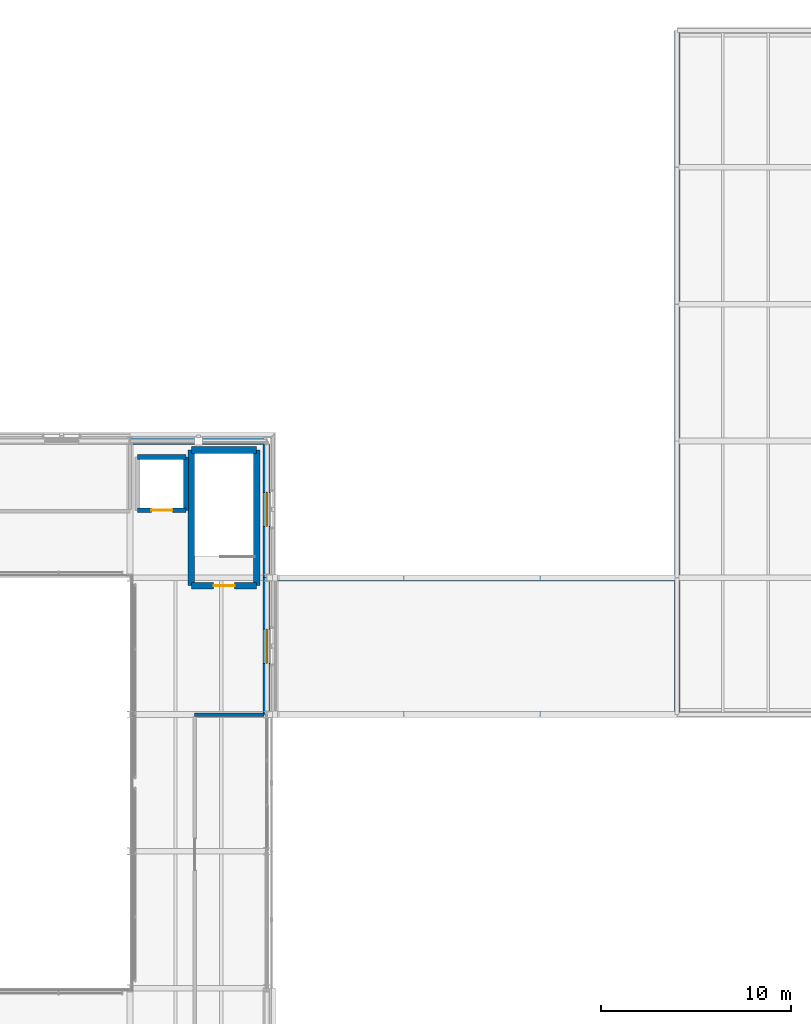
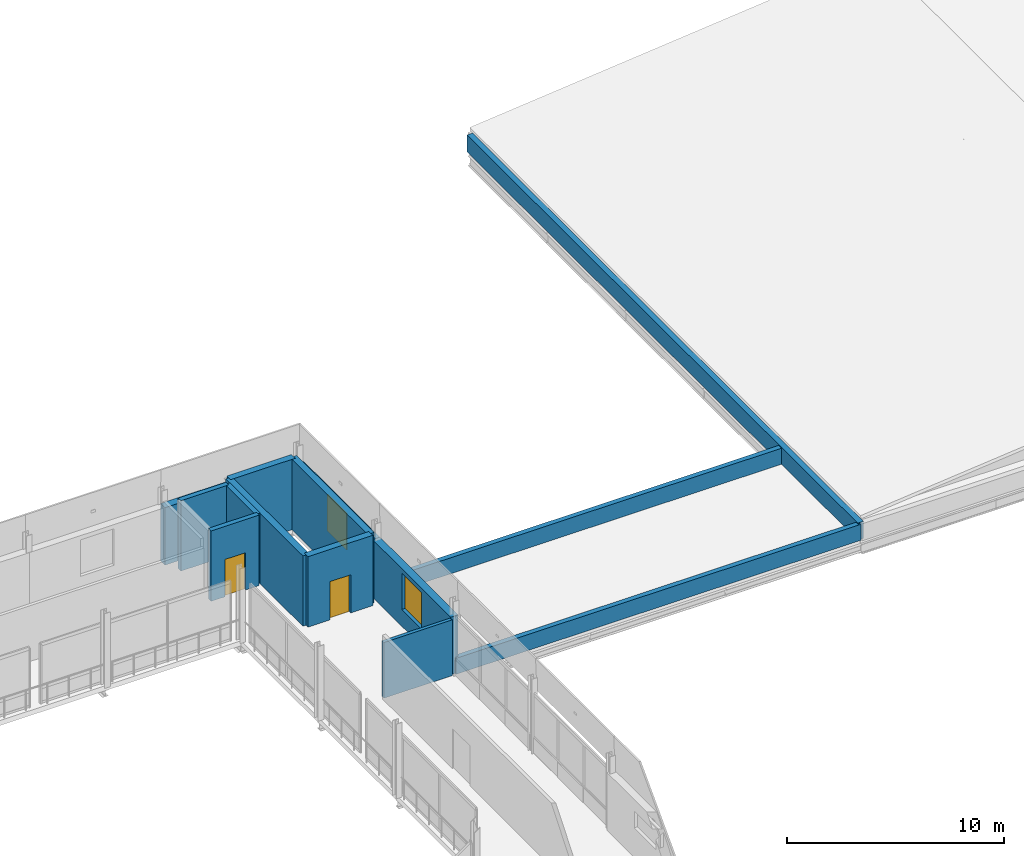
# One storey, part 64 of 91: 14 walls, 2 doors, 2 windows, 4 openings.
"""IFC4 building model written with IfcOpenShell, lengths in metres."""

from ifc_helpers import new_model, si_unit, direction, frame, frame_2d, origin, place, context, subcontext, project, spatial, rectangle, extrude, material, layer, layer_set, type_object, element, fill, save


model = new_model("IFC4")

# Units and contexts
model_context = context("Model", 3, precision=1e-05, world=origin(), true_north=direction((0.0, 1.0)))
body_context = subcontext(model_context, "Body", "Model", "MODEL_VIEW")
ifc_project = project(units=[si_unit("LENGTHUNIT", "METRE"), si_unit("AREAUNIT", "SQUARE_METRE"), si_unit("VOLUMEUNIT", "CUBIC_METRE"), si_unit("PLANEANGLEUNIT", "RADIAN"), si_unit("MASSUNIT", "GRAM", prefix="KILO")], contexts=[model_context])

# Site, building, storey
site_placement = place(None, origin())
site = spatial("IfcSite", under=ifc_project, at=site_placement, CompositionType="ELEMENT")
building_placement = place(site_placement, origin())
building = spatial("IfcBuilding", under=site, at=building_placement, Name="Narikvali Park Central Library", CompositionType="ELEMENT")
storey_placement = place(building_placement, frame((0.0, 0.0, 14.39990234375)))
storey = spatial("IfcBuildingStorey", under=building, at=storey_placement, Name="L03", CompositionType="ELEMENT", Elevation=14.39990234375)

# Walls
ifc_material_1 = material(Name="White Honed Limestone over Concrete C35/45", Category="masonry")
ifc_layer_1 = layer(ifc_material_1, 0.300048828125, Name="White Honed Limestone over Concrete C35/45")
ifc_layer_set_1 = layer_set([ifc_layer_1], Name="White Honed Limestone over Concrete C35/45")
wall_type_1 = type_object("IfcWallType", Name="Limestone Coping Parapet Wall 300", PredefinedType="PARAPET", material=ifc_layer_set_1)
wall_1_placement = place(storey_placement, frame((122.39990234375, 115.199951171875, 0.0), z_axis=(0.0, 0.0, 1.0), x_axis=(0.0, -1.0, 0.0)))
element("IfcWall", 1, at=wall_1_placement, inside=storey, type_object=wall_type_1, Name="V3 L03 Roof Limestone Parapet W", PredefinedType="PARAPET", context=body_context, shape_type="SweptSolid", body=[
    extrude(rectangle(XDim=36.0, YDim=0.300048828125, at=frame_2d((18.0, 0.0))), origin(), (0.0, 0.0, 1.0), 0.9501953125),
])
ifc_material_2 = material(Name="Acoustic Gypsum on Steel Studs", Category="steel")
ifc_layer_2 = layer(ifc_material_2, 0.179931640625, Name="Acoustic Gypsum on Steel Studs")
ifc_layer_set_2 = layer_set([ifc_layer_2], Name="Acoustic Gypsum on Steel Studs")
wall_type_2 = type_object("IfcWallType", Name="Reading Room Acoustic Partition 180", PredefinedType="PARTITIONING", material=ifc_layer_set_2)
wall_2_placement = place(storey_placement, frame((97.0, 79.199951171875, 0.0), z_axis=(0.0, 0.0, 1.0), x_axis=(1.0, 0.0, 0.0)))
element("IfcWall", 2, at=wall_2_placement, inside=storey, type_object=wall_type_2, Name="Drum Clerestory East Open Stacks Gallery Partition N", PredefinedType="PARTITIONING", context=body_context, shape_type="SweptSolid", body=[
    extrude(rectangle(XDim=3.64599609375, YDim=0.179931640625, at=frame_2d((1.822998046875, 0.0))), origin(), (0.0, 0.0, 1.0), 3.135009765625),
])

# Wall, opening, door
ifc_material_3 = material(Name="Concrete C40/50", Category="concrete")
ifc_layer_3 = layer(ifc_material_3, 0.35009765625, Name="Concrete C40/50")
ifc_layer_set_3 = layer_set([ifc_layer_3], Name="Concrete C40/50")
wall_type_3 = type_object("IfcWallType", Name="Reinforced Concrete Core Shear Wall 350", PredefinedType="SHEAR", material=ifc_layer_set_3)
wall_3_placement = place(storey_placement, frame((96.830078125, 85.97998046875, 0.0), z_axis=(0.0, 0.0, 1.0), x_axis=(1.0, 0.0, 0.0)))
wall_3 = element("IfcWall", 3, at=wall_3_placement, inside=storey, type_object=wall_type_3, Name="C1B L03 Stair Core Shear Wall S", PredefinedType="SHEAR", context=body_context, shape_type="SweptSolid", body=[
    extrude(rectangle(XDim=3.43994140625, YDim=0.35009765625, at=frame_2d((1.719970703125, 0.0))), origin(), (0.0, 0.0, 1.0), 3.960205078125),
])
opening_1_placement = place(wall_3_placement, frame((1.169921875, 0.0, 0.0)))
opening_1 = element("IfcOpeningElement", 4, at=opening_1_placement, cuts=wall_3, Name="Opening SD-010", PredefinedType="OPENING", context=body_context, shape_type="SweptSolid", body=[
    extrude(rectangle(XDim=1.10009765625, YDim=2.14990234375, at=frame_2d((0.550048828125, 1.074951171875))), frame((0.0, 0.18701171875, 0.0), z_axis=(0.0, -1.0, 0.0), x_axis=(1.0, 0.0, 0.0)), (0.0, 0.0, 1.0), 0.3740234375),
])
ifc_material_4 = material(Name="Powder-Coated Steel S275 Fire Leaf", Category="steel")
door_type_1 = type_object("IfcDoorType", Name="Stair Core Smoke-Control Fire Door 1100x2150", OperationType="SINGLE_SWING_LEFT", PredefinedType="DOOR", material=ifc_material_4)
door_1_placement = place(opening_1_placement, frame((1.10009765625, 0.0, 0.0), z_axis=(0.0, 0.0, 1.0), x_axis=(-1.0, 0.0, 0.0)))
door_1 = element("IfcDoor", 5, at=door_1_placement, inside=storey, type_object=door_type_1, Name="ST-02 L03 Stair Exit Door SD-010", OperationType="SINGLE_SWING_RIGHT", OverallHeight=2.14990234375, OverallWidth=1.10009765625, PredefinedType="DOOR", context=body_context, shape_type="SweptSolid", body=[
    extrude(rectangle(XDim=1.10009765625, YDim=2.14990234375, at=frame_2d((0.550048828125, 1.074951171875))), frame((0.0, 0.02490234375, 0.0), z_axis=(0.0, -1.0, 0.0), x_axis=(1.0, 0.0, 0.0)), (0.0, 0.0, 1.0), 0.050048828125),
])
fill(opening_1, door_1)

# Walls
wall_4_placement = place(storey_placement, frame((100.27001953125, 85.97998046875, 0.0), z_axis=(0.0, 0.0, 1.0), x_axis=(0.0, 1.0, 0.0)))
element("IfcWall", 6, at=wall_4_placement, inside=storey, type_object=wall_type_3, Name="C1B L03 Stair Core Shear Wall E", PredefinedType="SHEAR", context=body_context, shape_type="SweptSolid", body=[
    extrude(rectangle(XDim=7.14013671875, YDim=0.35009765625, at=frame_2d((3.570068359375, 0.0))), origin(), (0.0, 0.0, 1.0), 3.960205078125),
])
wall_5_placement = place(storey_placement, frame((100.27001953125, 93.1201171875, 0.0), z_axis=(0.0, 0.0, 1.0), x_axis=(-1.0, 0.0, 0.0)))
element("IfcWall", 7, at=wall_5_placement, inside=storey, type_object=wall_type_3, Name="C1B L03 Stair Core Shear Wall N", PredefinedType="SHEAR", context=body_context, shape_type="SweptSolid", body=[
    extrude(rectangle(XDim=3.43994140625, YDim=0.35009765625, at=frame_2d((1.719970703125, 0.0))), origin(), (0.0, 0.0, 1.0), 3.960205078125),
])
wall_6_placement = place(storey_placement, frame((96.830078125, 93.1201171875, 0.0), z_axis=(0.0, 0.0, 1.0), x_axis=(0.0, -1.0, 0.0)))
element("IfcWall", 8, at=wall_6_placement, inside=storey, type_object=wall_type_3, Name="C1B L03 Stair Core Shear Wall W", PredefinedType="SHEAR", context=body_context, shape_type="SweptSolid", body=[
    extrude(rectangle(XDim=7.14013671875, YDim=0.35009765625, at=frame_2d((3.570068359375, 0.0))), origin(), (0.0, 0.0, 1.0), 3.960205078125),
])

# Wall, opening, door
ifc_layer_4 = layer(ifc_material_3, 0.25, Name="Concrete C40/50")
ifc_layer_set_4 = layer_set([ifc_layer_4], Name="Concrete C40/50")
wall_type_4 = type_object("IfcWallType", Name="Reinforced Concrete Lift Shaft Wall 250", PredefinedType="SHEAR", material=ifc_layer_set_4)
wall_7_placement = place(storey_placement, frame((94.0, 89.949951171875, 0.0), z_axis=(0.0, 0.0, 1.0), x_axis=(1.0, 0.0, 0.0)))
wall_7 = element("IfcWall", 9, at=wall_7_placement, inside=storey, type_object=wall_type_4, Name="L-02 L03 Lift Shaft Wall S", PredefinedType="SHEAR", context=body_context, shape_type="SweptSolid", body=[
    extrude(rectangle(XDim=2.550048828125, YDim=0.25, at=frame_2d((1.27490234375, 0.0))), origin(), (0.0, 0.0, 1.0), 3.960205078125),
])
opening_2_placement = place(wall_7_placement, frame((0.72509765625, 0.0, 0.0)))
opening_2 = element("IfcOpeningElement", 10, at=opening_2_placement, cuts=wall_7, Name="Opening LD-010", PredefinedType="OPENING", context=body_context, shape_type="SweptSolid", body=[
    extrude(rectangle(XDim=1.10009765625, YDim=2.10009765625, at=frame_2d((0.550048828125, 1.050048828125))), frame((0.0, 0.136962890625, 0.0), z_axis=(0.0, -1.0, 0.0), x_axis=(1.0, 0.0, 0.0)), (0.0, 0.0, 1.0), 0.27392578125),
])
ifc_material_5 = material(Name="Brushed Stainless Steel S355", Category="steel")
door_type_2 = type_object("IfcDoorType", Name="Passenger Lift Sliding Landing Door 1100x2100", OperationType="SLIDING_TO_LEFT", PredefinedType="DOOR", material=ifc_material_5)
door_2_placement = place(opening_2_placement, origin())
door_2 = element("IfcDoor", 11, at=door_2_placement, inside=storey, type_object=door_type_2, Name="L-02 L03 Lift Landing Sliding Door LD-010", OperationType="SLIDING_TO_LEFT", OverallHeight=2.10009765625, OverallWidth=1.10009765625, PredefinedType="DOOR", context=body_context, shape_type="SweptSolid", body=[
    extrude(rectangle(XDim=1.10009765625, YDim=2.10009765625, at=frame_2d((0.550048828125, 1.050048828125))), frame((0.0, 0.02490234375, 0.0), z_axis=(0.0, -1.0, 0.0), x_axis=(1.0, 0.0, 0.0)), (0.0, 0.0, 1.0), 0.050048828125),
])
fill(opening_2, door_2)

# Walls
wall_8_placement = place(storey_placement, frame((96.550048828125, 89.949951171875, 0.0), z_axis=(0.0, 0.0, 1.0), x_axis=(0.0, 1.0, 0.0)))
element("IfcWall", 12, at=wall_8_placement, inside=storey, type_object=wall_type_4, Name="L-02 L03 Lift Shaft Wall E", PredefinedType="SHEAR", context=body_context, shape_type="SweptSolid", body=[
    extrude(rectangle(XDim=2.800048828125, YDim=0.25, at=frame_2d((1.39990234375, 0.0))), origin(), (0.0, 0.0, 1.0), 3.960205078125),
])
wall_9_placement = place(storey_placement, frame((96.550048828125, 92.75, 0.0), z_axis=(0.0, 0.0, 1.0), x_axis=(-1.0, 0.0, 0.0)))
element("IfcWall", 13, at=wall_9_placement, inside=storey, type_object=wall_type_4, Name="L-02 L03 Lift Shaft Wall N", PredefinedType="SHEAR", context=body_context, shape_type="SweptSolid", body=[
    extrude(rectangle(XDim=2.550048828125, YDim=0.25, at=frame_2d((1.27490234375, 0.0))), origin(), (0.0, 0.0, 1.0), 3.960205078125),
])
ifc_layer_5 = layer(ifc_material_1, 0.260009765625, Name="White Honed Limestone over Concrete C35/45")
ifc_layer_set_5 = layer_set([ifc_layer_5], Name="White Honed Limestone over Concrete C35/45")
wall_type_5 = type_object("IfcWallType", Name="Terrace Garden Parapet Wall 260", PredefinedType="PARAPET", material=ifc_layer_set_5)
for number, where, z_axis, x_axis, name in (
    (14, (100.840087890625, 79.239990234375, 0.0), (0.0, 0.0, 1.0), (1.0, 0.0, 0.0), "BRG-3 Roof Parapet S"),
    (15, (122.360107421875, 86.360107421875, 0.0), (0.0, 0.0, 1.0), (-1.0, 0.0, 0.0), "BRG-3 Roof Parapet N"),
):
    element("IfcWall", number, at=place(storey_placement, frame(where, z_axis=z_axis, x_axis=x_axis)), inside=storey, type_object=wall_type_5, Name=name, PredefinedType="PARAPET", context=body_context, shape_type="SweptSolid", body=[
        extrude(rectangle(XDim=21.52001953125, YDim=0.260009765625, at=frame_2d((10.760009765625, 0.0))), origin(), (0.0, 0.0, 1.0), 0.900146484375),
    ])

# Wall, opening, window
ifc_layer_6 = layer(ifc_material_1, 0.39990234375, Name="White Honed Limestone over Concrete C35/45")
ifc_layer_set_6 = layer_set([ifc_layer_6], Name="White Honed Limestone over Concrete C35/45")
wall_type_6 = type_object("IfcWallType", Name="White Limestone Battered Tier3 Wall 400", PredefinedType="SOLIDWALL", material=ifc_layer_set_6)
wall_10_placement = place(storey_placement, frame((100.800048828125, 79.199951171875, 0.0), z_axis=(0.0, 0.0, 1.0), x_axis=(0.0, 1.0, 0.0)))
wall_10 = element("IfcWall", 16, at=wall_10_placement, inside=storey, type_object=wall_type_6, Name="V1 L03 E Exterior Limestone Wall B04", PredefinedType="SOLIDWALL", context=body_context, shape_type="SweptSolid", body=[
    extrude(rectangle(XDim=7.199951171875, YDim=0.39990234375, at=frame_2d((3.60009765625, 0.0))), origin(), (0.0, 0.0, 1.0), 3.239990234375),
])
opening_3_placement = place(wall_10_placement, frame((2.699951171875, 0.0, 0.949951171875)))
opening_3 = element("IfcOpeningElement", 17, at=opening_3_placement, cuts=wall_10, Name="Opening WIN-0037", PredefinedType="OPENING", context=body_context, shape_type="SweptSolid", body=[
    extrude(rectangle(XDim=1.800048828125, YDim=2.050048828125, at=frame_2d((0.89990234375, 1.02490234375))), frame((0.0, 0.2119140625, 0.0), z_axis=(0.0, -1.0, 0.0), x_axis=(1.0, 0.0, 0.0)), (0.0, 0.0, 1.0), 0.423828125),
])
ifc_material_6 = material(Name="Anodised Bronze Aluminium and Low-E Triple Glazing", Category="aluminium")
window_type = type_object("IfcWindowType", Name="Rotunda Mezzanine Deep-Set Window 1800x2050", PartitioningType="DOUBLE_PANEL_VERTICAL", PredefinedType="WINDOW", material=ifc_material_6)
window_1_placement = place(opening_3_placement, origin())
window_1 = element("IfcWindow", 18, at=window_1_placement, inside=storey, type_object=window_type, Name="V1 L03 E Deep-Reveal Window WIN-0037", OverallHeight=2.050048828125, OverallWidth=1.800048828125, PartitioningType="SINGLE_PANEL", PredefinedType="WINDOW", context=body_context, shape_type="SweptSolid", body=[
    extrude(rectangle(XDim=1.800048828125, YDim=2.050048828125, at=frame_2d((0.89990234375, 1.02490234375))), frame((0.0, 0.030029296875, 0.0), z_axis=(0.0, -1.0, 0.0), x_axis=(1.0, 0.0, 0.0)), (0.0, 0.0, 1.0), 0.06005859375),
])
fill(opening_3, window_1)

wall_11_placement = place(storey_placement, frame((100.800048828125, 86.39990234375, 0.0), z_axis=(0.0, 0.0, 1.0), x_axis=(0.0, 1.0, 0.0)))
wall_11 = element("IfcWall", 19, at=wall_11_placement, inside=storey, type_object=wall_type_6, Name="V1 L03 E Exterior Limestone Wall B05", PredefinedType="SOLIDWALL", context=body_context, shape_type="SweptSolid", body=[
    extrude(rectangle(XDim=7.01611328125, YDim=0.39990234375, at=frame_2d((3.508056640625, 0.0))), origin(), (0.0, 0.0, 1.0), 3.239990234375),
])
opening_4_placement = place(wall_11_placement, frame((2.699951171875, 0.0, 0.949951171875)))
opening_4 = element("IfcOpeningElement", 20, at=opening_4_placement, cuts=wall_11, Name="Opening WIN-0038", PredefinedType="OPENING", context=body_context, shape_type="SweptSolid", body=[
    extrude(rectangle(XDim=1.800048828125, YDim=2.050048828125, at=frame_2d((0.89990234375, 1.02490234375))), frame((0.0, 0.2119140625, 0.0), z_axis=(0.0, -1.0, 0.0), x_axis=(1.0, 0.0, 0.0)), (0.0, 0.0, 1.0), 0.423828125),
])
window_2_placement = place(opening_4_placement, origin())
window_2 = element("IfcWindow", 21, at=window_2_placement, inside=storey, type_object=window_type, Name="V1 L03 E Deep-Reveal Window WIN-0038", OverallHeight=2.050048828125, OverallWidth=1.800048828125, PartitioningType="SINGLE_PANEL", PredefinedType="WINDOW", context=body_context, shape_type="SweptSolid", body=[
    extrude(rectangle(XDim=1.800048828125, YDim=2.050048828125, at=frame_2d((0.89990234375, 1.02490234375))), frame((0.0, 0.030029296875, 0.0), z_axis=(0.0, -1.0, 0.0), x_axis=(1.0, 0.0, 0.0)), (0.0, 0.0, 1.0), 0.06005859375),
])
fill(opening_4, window_2)

# Wall
wall_12_placement = place(storey_placement, frame((100.64599609375, 93.60009765625, 0.0), z_axis=(0.0, 0.0, 1.0), x_axis=(-1.0, 0.0, 0.0)))
element("IfcWall", 22, at=wall_12_placement, inside=storey, type_object=wall_type_6, Name="V1 L03 N Exterior Limestone Wall B01", PredefinedType="SOLIDWALL", context=body_context, shape_type="SweptSolid", body=[
    extrude(rectangle(XDim=7.0458984375, YDim=0.39990234375, at=frame_2d((3.52294921875, 0.0))), origin(), (0.0, 0.0, 1.0), 3.239990234375),
])

save(model, "model.ifc")
